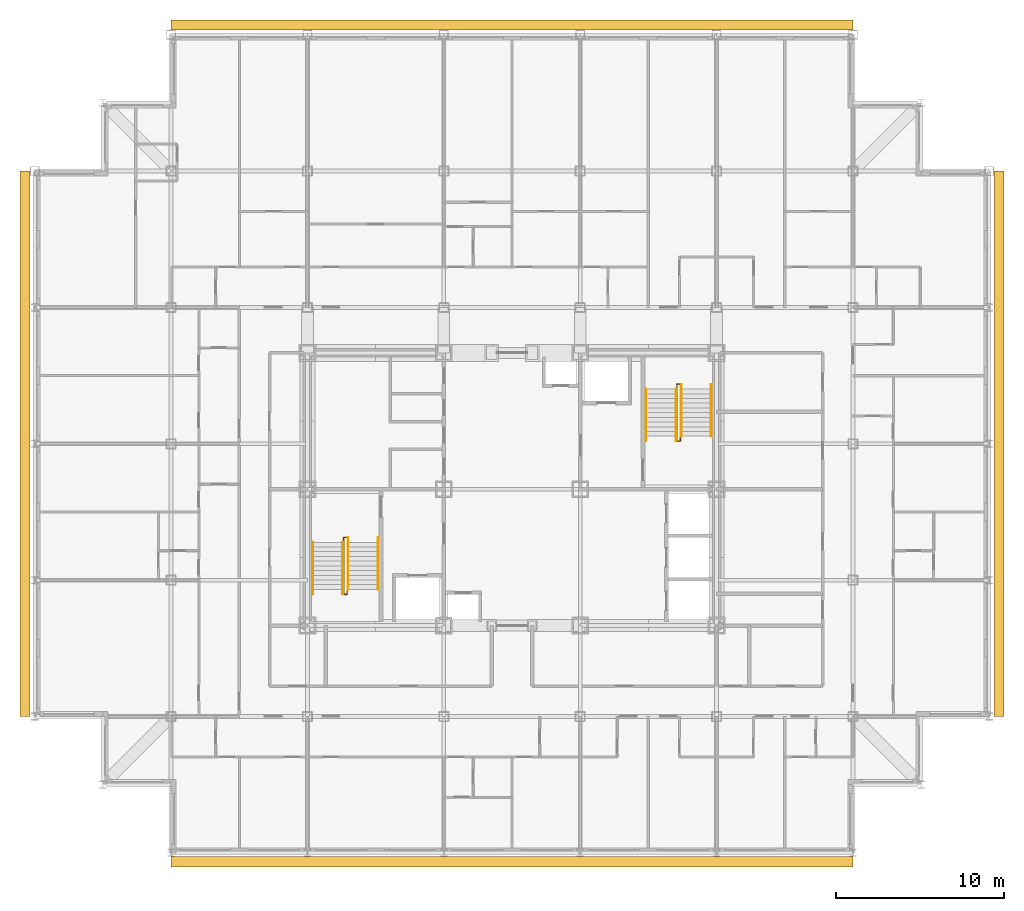
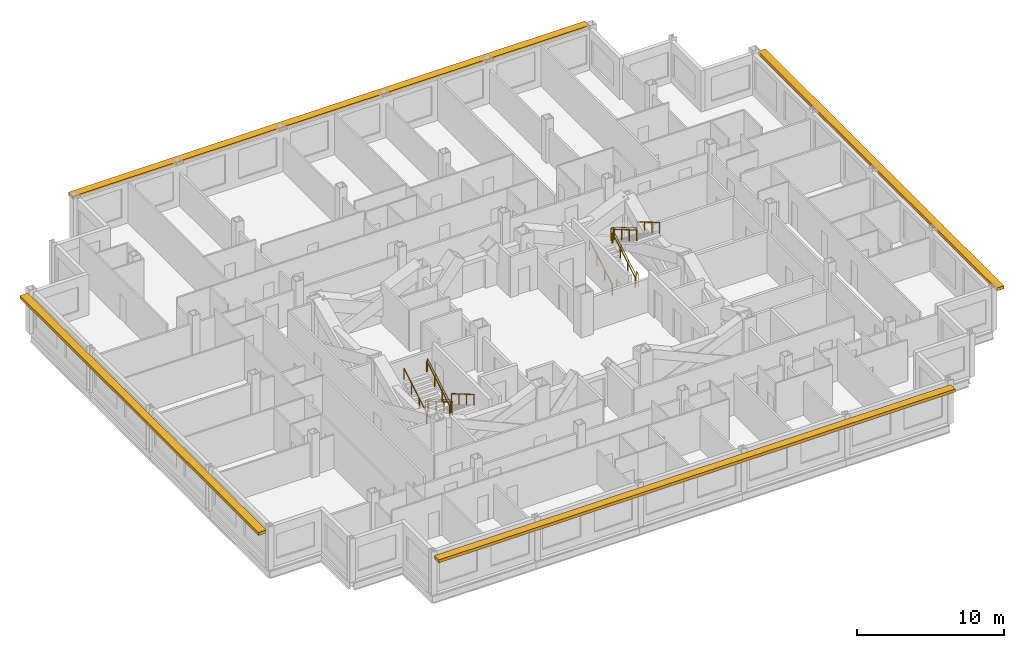
# One storey, part 12 of 12: 10 railings, 4 shading devices.
"""IFC4 building model written with IfcOpenShell, lengths in metres."""

from ifc_helpers import new_model, si_unit, direction, frame, origin, origin_2d, place, context, subcontext, project, spatial, rectangle, circle, extrude, material, type_object, element, save


model = new_model("IFC4")

# Units and contexts
model_context = context("Model", 3, precision=1e-05, world=origin(), true_north=direction((0.0, 1.0)))
body_context = subcontext(model_context, "Body", "Model", "MODEL_VIEW")
ifc_project = project(units=[si_unit("LENGTHUNIT", "METRE"), si_unit("AREAUNIT", "SQUARE_METRE"), si_unit("VOLUMEUNIT", "CUBIC_METRE"), si_unit("PLANEANGLEUNIT", "RADIAN"), si_unit("MASSUNIT", "GRAM", prefix="KILO")], contexts=[model_context])

# Site, building, storey
site_placement = place(None, origin())
site = spatial("IfcSite", under=ifc_project, at=site_placement, CompositionType="ELEMENT")
building_placement = place(site_placement, origin())
building = spatial("IfcBuilding", under=site, at=building_placement, Name="Kopane Lantern Tower", CompositionType="ELEMENT")
storey_placement = place(building_placement, frame((0.0, 0.0, 217.199951171875)))
storey = spatial("IfcBuildingStorey", under=building, at=storey_placement, Name="L56", CompositionType="ELEMENT", Elevation=217.199951171875)

# Railings
ifc_material_1 = material(Name="Steel", Category="steel")
railing_type_1 = type_object("IfcRailingType", Name="STAIR GUARD 1100", PredefinedType="GUARDRAIL", material=ifc_material_1)
railing_1_placement = place(storey_placement, frame((18.35009765625, 29.25, 0.0)))
element("IfcRailing", 1, at=railing_1_placement, inside=storey, type_object=railing_type_1, Name="ST1 well guard L56", PredefinedType="GUARDRAIL", context=body_context, shape_type="SweptSolid", body=[
    extrude(circle(Radius=0.02392578125, at=origin_2d()), frame((0.0, 0.0, 1.076171875), z_axis=(0.0, 1.0, 0.0), x_axis=(-1.0, 0.0, 0.0)), (0.0, 0.0, 1.0), 0.280029296875),
    extrude(circle(Radius=0.02392578125, at=origin_2d()), frame((0.0, 0.280029296875, 1.076171875), z_axis=(1.0, 0.0, 0.0), x_axis=(0.0, 1.0, 0.0)), (0.0, 0.0, 1.0), 0.199951171875),
    extrude(circle(Radius=0.02392578125, at=origin_2d()), frame((0.199951171875, 0.280029296875, 1.076171875), z_axis=(0.0, -0.863371556955, 0.504568681787), x_axis=(1.0, 0.0, 0.0)), (0.0, 0.0, 1.0), 3.5673828125),
    extrude(circle(Radius=0.02392578125, at=origin_2d()), frame((0.199951171875, -2.800048828125, 2.8759765625), z_axis=(0.0, -1.0, 0.0), x_axis=(1.0, 0.0, 0.0)), (0.0, 0.0, 1.0), 0.280029296875),
    extrude(circle(Radius=0.02392578125, at=origin_2d()), frame((0.199951171875, -3.080078125, 2.8759765625), z_axis=(-1.0, 0.0, 0.0), x_axis=(0.0, -1.0, 0.0)), (0.0, 0.0, 1.0), 0.199951171875),
    extrude(circle(Radius=0.02392578125, at=origin_2d()), frame((0.0, -3.080078125, 2.8759765625), z_axis=(0.0, 0.863371556955, 0.504568681787), x_axis=(-1.0, 0.0, 0.0)), (0.0, 0.0, 1.0), 3.5673828125),
    extrude(circle(Radius=0.02099609375, at=origin_2d()), origin(), (0.0, 0.0, 1.0), 1.052001953125),
    extrude(circle(Radius=0.02099609375, at=origin_2d()), frame((0.0, 0.280029296875, 0.0)), (0.0, 0.0, 1.0), 1.052001953125),
    extrude(circle(Radius=0.02099609375, at=origin_2d()), frame((0.199951171875, 0.280029296875, 0.0)), (0.0, 0.0, 1.0), 1.052001953125),
    extrude(circle(Radius=0.02099609375, at=origin_2d()), frame((0.199951171875, -0.74658203125, 0.60009765625)), (0.0, 0.0, 1.0), 1.052001953125),
    extrude(circle(Radius=0.02099609375, at=origin_2d()), frame((0.199951171875, -1.7734375, 1.199951171875)), (0.0, 0.0, 1.0), 1.052001953125),
    extrude(circle(Radius=0.02099609375, at=origin_2d()), frame((0.199951171875, -2.800048828125, 1.800048828125)), (0.0, 0.0, 1.0), 1.052001953125),
    extrude(circle(Radius=0.02099609375, at=origin_2d()), frame((0.199951171875, -3.080078125, 1.800048828125)), (0.0, 0.0, 1.0), 1.052001953125),
    extrude(circle(Radius=0.02099609375, at=origin_2d()), frame((0.0, -3.080078125, 1.800048828125)), (0.0, 0.0, 1.0), 1.052001953125),
    extrude(circle(Radius=0.02099609375, at=origin_2d()), frame((0.0, -2.053466796875, 2.400146484375)), (0.0, 0.0, 1.0), 1.052001953125),
    extrude(circle(Radius=0.02099609375, at=origin_2d()), frame((0.0, -1.026611328125, 3.0)), (0.0, 0.0, 1.0), 1.052001953125),
    extrude(circle(Radius=0.02099609375, at=origin_2d()), frame((0.0, 0.0, 3.60009765625)), (0.0, 0.0, 1.0), 1.052001953125),
])
railing_2_placement = place(storey_placement, frame((38.35009765625, 35.550048828125, 0.0)))
element("IfcRailing", 2, at=railing_2_placement, inside=storey, type_object=railing_type_1, Name="ST2 well guard L56", PredefinedType="GUARDRAIL", context=body_context, shape_type="SweptSolid", body=[
    extrude(circle(Radius=0.02392578125, at=origin_2d()), frame((0.0, 0.0, 1.076171875), z_axis=(0.0, -1.0, 0.0), x_axis=(1.0, 0.0, 0.0)), (0.0, 0.0, 1.0), 0.280029296875),
    extrude(circle(Radius=0.02392578125, at=origin_2d()), frame((0.0, -0.280029296875, 1.076171875), z_axis=(-1.0, 0.0, 0.0), x_axis=(0.0, -1.0, 0.0)), (0.0, 0.0, 1.0), 0.2001953125),
    extrude(circle(Radius=0.02392578125, at=origin_2d()), frame((-0.2001953125, -0.280029296875, 1.076171875), z_axis=(0.0, 0.863371556955, 0.504568681787), x_axis=(-1.0, 0.0, 0.0)), (0.0, 0.0, 1.0), 3.5673828125),
    extrude(circle(Radius=0.02392578125, at=origin_2d()), frame((-0.2001953125, 2.800048828125, 2.8759765625), z_axis=(0.0, 1.0, 0.0), x_axis=(-1.0, 0.0, 0.0)), (0.0, 0.0, 1.0), 0.27978515625),
    extrude(circle(Radius=0.02392578125, at=origin_2d()), frame((-0.2001953125, 3.079833984375, 2.8759765625), z_axis=(1.0, 0.0, 0.0), x_axis=(0.0, 1.0, 0.0)), (0.0, 0.0, 1.0), 0.2001953125),
    extrude(circle(Radius=0.02392578125, at=origin_2d()), frame((0.0, 3.079833984375, 2.8759765625), z_axis=(0.0, -0.863354132664, 0.504598495452), x_axis=(1.0, 0.0, 0.0)), (0.0, 0.0, 1.0), 3.5673828125),
    extrude(circle(Radius=0.02099609375, at=origin_2d()), origin(), (0.0, 0.0, 1.0), 1.052001953125),
    extrude(circle(Radius=0.02099609375, at=origin_2d()), frame((0.0, -0.280029296875, 0.0)), (0.0, 0.0, 1.0), 1.052001953125),
    extrude(circle(Radius=0.02099609375, at=origin_2d()), frame((-0.2001953125, -0.280029296875, 0.0)), (0.0, 0.0, 1.0), 1.052001953125),
    extrude(circle(Radius=0.02099609375, at=origin_2d()), frame((-0.2001953125, 0.74658203125, 0.60009765625)), (0.0, 0.0, 1.0), 1.052001953125),
    extrude(circle(Radius=0.02099609375, at=origin_2d()), frame((-0.2001953125, 1.7734375, 1.199951171875)), (0.0, 0.0, 1.0), 1.052001953125),
    extrude(circle(Radius=0.02099609375, at=origin_2d()), frame((-0.2001953125, 2.800048828125, 1.800048828125)), (0.0, 0.0, 1.0), 1.052001953125),
    extrude(circle(Radius=0.02099609375, at=origin_2d()), frame((-0.2001953125, 3.079833984375, 1.800048828125)), (0.0, 0.0, 1.0), 1.052001953125),
    extrude(circle(Radius=0.02099609375, at=origin_2d()), frame((0.0, 3.079833984375, 1.800048828125)), (0.0, 0.0, 1.0), 1.052001953125),
    extrude(circle(Radius=0.02099609375, at=origin_2d()), frame((0.0, 2.05322265625, 2.400146484375)), (0.0, 0.0, 1.0), 1.052001953125),
    extrude(circle(Radius=0.02099609375, at=origin_2d()), frame((0.0, 1.026611328125, 3.0)), (0.0, 0.0, 1.0), 1.052001953125),
    extrude(circle(Radius=0.02099609375, at=origin_2d()), frame((0.0, 0.0, 3.60009765625)), (0.0, 0.0, 1.0), 1.052001953125),
])
ifc_material_2 = material(Name="Steel", Category="steel")
railing_type_2 = type_object("IfcRailingType", Name="STAIR HANDRAIL 900", PredefinedType="HANDRAIL", material=ifc_material_2)
for number, where, name in (
    (3, (20.389892578125, 29.530029296875, 0.0), "ST1 handrail L56 flight 1"),
    (4, (18.610107421875, 29.530029296875, 0.0), "ST1 handrail L56 flight 1"),
):
    element("IfcRailing", number, at=place(storey_placement, frame(where)), inside=storey, type_object=railing_type_2, Name=name, PredefinedType="HANDRAIL", context=body_context, shape_type="SweptSolid", body=[
        extrude(circle(Radius=0.02392578125, at=origin_2d()), frame((0.0, 0.0, 0.8759765625), z_axis=(0.0, -0.863371556955, 0.504568681787), x_axis=(1.0, 0.0, 0.0)), (0.0, 0.0, 1.0), 3.5673828125),
        extrude(circle(Radius=0.02099609375, at=origin_2d()), origin(), (0.0, 0.0, 1.0), 0.851806640625),
        extrude(circle(Radius=0.02099609375, at=origin_2d()), frame((0.0, -1.026611328125, 0.60009765625)), (0.0, 0.0, 1.0), 0.851806640625),
        extrude(circle(Radius=0.02099609375, at=origin_2d()), frame((0.0, -2.053466796875, 1.199951171875)), (0.0, 0.0, 1.0), 0.851806640625),
        extrude(circle(Radius=0.02099609375, at=origin_2d()), frame((0.0, -3.080078125, 1.800048828125)), (0.0, 0.0, 1.0), 0.851806640625),
    ])
for number, where, name in (
    (5, (16.510009765625, 26.169921875, 1.800048828125), "ST1 handrail L56 flight 2"),
    (6, (18.2900390625, 26.169921875, 1.800048828125), "ST1 handrail L56 flight 2"),
    (7, (36.31005859375, 35.27001953125, 0.0), "ST2 handrail L56 flight 1"),
    (8, (38.090087890625, 35.27001953125, 0.0), "ST2 handrail L56 flight 1"),
):
    element("IfcRailing", number, at=place(storey_placement, frame(where)), inside=storey, type_object=railing_type_2, Name=name, PredefinedType="HANDRAIL", context=body_context, shape_type="SweptSolid", body=[
        extrude(circle(Radius=0.02392578125, at=origin_2d()), frame((0.0, 0.0, 0.8759765625), z_axis=(0.0, 0.863371556955, 0.504568681787), x_axis=(-1.0, 0.0, 0.0)), (0.0, 0.0, 1.0), 3.5673828125),
        extrude(circle(Radius=0.02099609375, at=origin_2d()), origin(), (0.0, 0.0, 1.0), 0.851806640625),
        extrude(circle(Radius=0.02099609375, at=origin_2d()), frame((0.0, 1.026611328125, 0.60009765625)), (0.0, 0.0, 1.0), 0.851806640625),
        extrude(circle(Radius=0.02099609375, at=origin_2d()), frame((0.0, 2.053466796875, 1.199951171875)), (0.0, 0.0, 1.0), 0.851806640625),
        extrude(circle(Radius=0.02099609375, at=origin_2d()), frame((0.0, 3.080078125, 1.800048828125)), (0.0, 0.0, 1.0), 0.851806640625),
    ])
for number, where, name in (
    (9, (40.18994140625, 38.6298828125, 1.800048828125), "ST2 handrail L56 flight 2"),
    (10, (38.409912109375, 38.6298828125, 1.800048828125), "ST2 handrail L56 flight 2"),
):
    element("IfcRailing", number, at=place(storey_placement, frame(where)), inside=storey, type_object=railing_type_2, Name=name, PredefinedType="HANDRAIL", context=body_context, shape_type="SweptSolid", body=[
        extrude(circle(Radius=0.02392578125, at=origin_2d()), frame((0.0, 0.0, 0.8759765625), z_axis=(0.0, -0.863354132664, 0.504598495452), x_axis=(1.0, 0.0, 0.0)), (0.0, 0.0, 1.0), 3.5673828125),
        extrude(circle(Radius=0.02099609375, at=origin_2d()), origin(), (0.0, 0.0, 1.0), 0.851806640625),
        extrude(circle(Radius=0.02099609375, at=origin_2d()), frame((0.0, -1.026611328125, 0.60009765625)), (0.0, 0.0, 1.0), 0.851806640625),
        extrude(circle(Radius=0.02099609375, at=origin_2d()), frame((0.0, -2.05322265625, 1.199951171875)), (0.0, 0.0, 1.0), 0.851806640625),
        extrude(circle(Radius=0.02099609375, at=origin_2d()), frame((0.0, -3.079833984375, 1.800048828125)), (0.0, 0.0, 1.0), 0.851806640625),
    ])

# Shading devices
ifc_material_3 = material(Name="Terracotta rainscreen on light steel framing", Category="masonry")
shading_device_type = type_object("IfcShadingDeviceType", Name="SUNSHADE BAND SB1 600 TERRACOTTA", PredefinedType="USERDEFINED", material=ifc_material_3)
shading_device_1_placement = place(storey_placement, frame((28.35009765625, 10.272216796875, 3.0), z_axis=(0.0, 0.0, 1.0), x_axis=(1.0, 0.0, 0.0)))
element("IfcShadingDevice", 11, at=shading_device_1_placement, inside=storey, type_object=shading_device_type, Name="Sunshade band S L56", ObjectType="SUNSHADE BAND", PredefinedType="USERDEFINED", context=body_context, shape_type="SweptSolid", body=[
    extrude(rectangle(XDim=40.5, YDim=0.60009765625, at=origin_2d()), origin(), (0.0, 0.0, 1.0), 0.25),
])
shading_device_2_placement = place(storey_placement, frame((57.27490234375, 35.10009765625, 3.0), z_axis=(0.0, 0.0, 1.0), x_axis=(0.0, 1.0, 0.0)))
element("IfcShadingDevice", 12, at=shading_device_2_placement, inside=storey, type_object=shading_device_type, Name="Sunshade band E L56", ObjectType="SUNSHADE BAND", PredefinedType="USERDEFINED", context=body_context, shape_type="SweptSolid", body=[
    extrude(rectangle(XDim=32.39990234375, YDim=0.60009765625, at=origin_2d()), origin(), (0.0, 0.0, 1.0), 0.25),
])
shading_device_3_placement = place(storey_placement, frame((28.35009765625, 59.97509765625, 3.0), z_axis=(0.0, 0.0, 1.0), x_axis=(-1.0, 0.0, 0.0)))
element("IfcShadingDevice", 13, at=shading_device_3_placement, inside=storey, type_object=shading_device_type, Name="Sunshade band N L56", ObjectType="SUNSHADE BAND", PredefinedType="USERDEFINED", context=body_context, shape_type="SweptSolid", body=[
    extrude(rectangle(XDim=40.5, YDim=0.60009765625, at=origin_2d()), origin(), (0.0, 0.0, 1.0), 0.25),
])
shading_device_4_placement = place(storey_placement, frame((-0.574951171875, 35.10009765625, 3.0), z_axis=(0.0, 0.0, 1.0), x_axis=(0.0, -1.0, 0.0)))
element("IfcShadingDevice", 14, at=shading_device_4_placement, inside=storey, type_object=shading_device_type, Name="Sunshade band W L56", ObjectType="SUNSHADE BAND", PredefinedType="USERDEFINED", context=body_context, shape_type="SweptSolid", body=[
    extrude(rectangle(XDim=32.39990234375, YDim=0.60009765625, at=origin_2d()), origin(), (0.0, 0.0, 1.0), 0.25),
])

save(model, "model.ifc")
